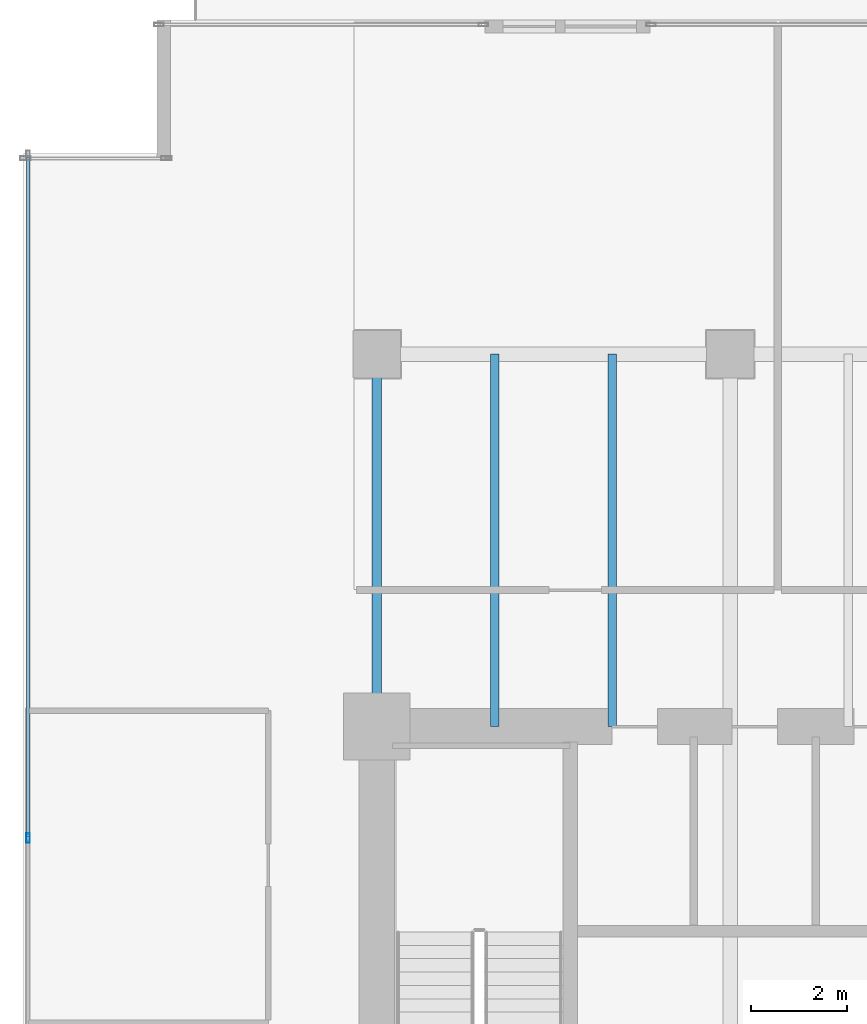
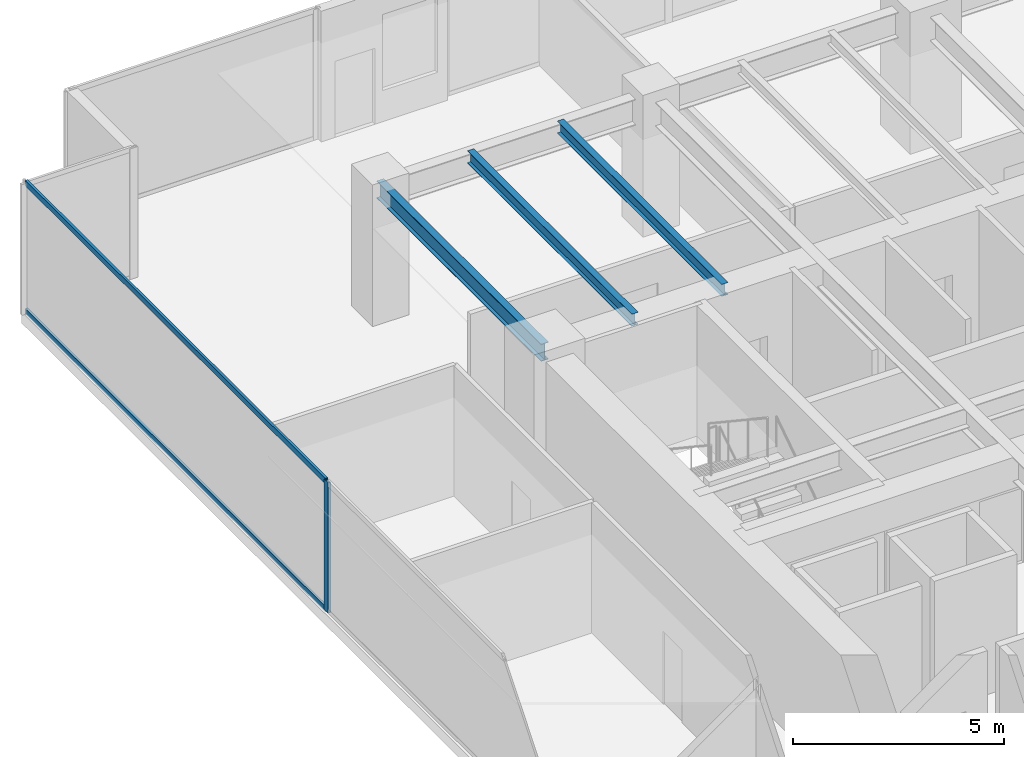
# One storey, part 12 of 32: 3 beams, 3 members, 1 element without a shape of its own.
"""IFC4 building model written with IfcOpenShell, lengths in metres."""

import ifcopenshell
import ifcopenshell.guid

model = None  # the IFC model being written
_history = None  # IfcOwnerHistory: only IFC2X3 demands one
_inside = {}  # id of a spatial element -> (the spatial element, [elements in it])
_under = {}  # id of a project, library or spatial element -> (it, [spatial elements below it])
_declared = {}  # id of a project -> (the project, [libraries it declares])
_typed = {}  # id of a type object -> (the type object, [elements of that type])
_made_of = {}  # id of a material, layer set ... -> (it, [elements and type objects made of it])


def new_model(schema):
    """Start an empty IFC model of exactly this schema.

    Asked for "IFC4X3", IfcOpenShell would pick the latest addendum, in which some entities
    have other attributes; the version numbers below select the first issue.
    IFC2X3 requires an IfcOwnerHistory on every rooted entity: one is made here for all.
    """
    global model, _history
    if schema == "IFC4X3":
        model = ifcopenshell.file(schema_version=(4, 3, 0, 0))
    else:
        model = ifcopenshell.file(schema=schema)
    _inside.clear()
    _under.clear()
    _declared.clear()
    _typed.clear()
    _made_of.clear()
    _history = None
    if model.schema == "IFC2X3":
        org = make("IfcOrganization", Name="unknown")
        user = make(
            "IfcPersonAndOrganization",
            ThePerson=make("IfcPerson", FamilyName="unknown"),
            TheOrganization=org,
        )
        app = make(
            "IfcApplication",
            ApplicationDeveloper=org,
            Version="unknown",
            ApplicationFullName="unknown",
            ApplicationIdentifier="unknown",
        )
        _history = make(
            "IfcOwnerHistory",
            OwningUser=user,
            OwningApplication=app,
            ChangeAction="ADDED",
            CreationDate=0,
        )
    return model


def make(cls, **values):
    """One entity of the class cls with the attributes given. An attribute that is None is left unset."""
    return model.create_entity(
        cls, **{name: value for name, value in values.items() if value is not None}
    )


def rooted(cls, **values):
    """An entity with a GlobalId (a new one), such as an element, a storey or a relation."""
    return make(cls, GlobalId=ifcopenshell.guid.new(), OwnerHistory=_history, **values)


def si_unit(unit_type, name, prefix=None):
    """IfcSIUnit, for example si_unit("LENGTHUNIT", "METRE", prefix="MILLI")."""
    return make("IfcSIUnit", UnitType=unit_type, Prefix=prefix, Name=name)


def assignment(units):
    """IfcUnitAssignment: the units of a project."""
    return None if units is None else make("IfcUnitAssignment", Units=units)


def point(xyz):
    """IfcCartesianPoint."""
    return None if xyz is None else make("IfcCartesianPoint", Coordinates=xyz)


def direction(xyz):
    """IfcDirection."""
    return None if xyz is None else make("IfcDirection", DirectionRatios=xyz)


def frame(location, z_axis=None, x_axis=None):
    """IfcAxis2Placement3D, a coordinate frame: its origin and axes. An axis left out is left unset."""
    return make(
        "IfcAxis2Placement3D",
        Location=point(location),
        Axis=direction(z_axis),
        RefDirection=direction(x_axis),
    )


def frame_2d(location, x_axis=None):
    """IfcAxis2Placement2D, a coordinate frame in the plane: its origin and x axis."""
    return make(
        "IfcAxis2Placement2D", Location=point(location), RefDirection=direction(x_axis)
    )


def origin():
    """The frame at (0, 0, 0) with its axes left unset."""
    return frame((0.0, 0.0, 0.0))


def origin_2d():
    """The frame at (0, 0) in the plane with its x axis left unset."""
    return frame_2d((0.0, 0.0))


def place(relative_to, where):
    """IfcLocalPlacement: puts the frame where relative to a parent placement (None: the world)."""
    return make(
        "IfcLocalPlacement", PlacementRelTo=relative_to, RelativePlacement=where
    )


def context(
    kind, dimensions, precision=None, world=None, true_north=None, identifier=None
):
    """IfcGeometricRepresentationContext, for example the 3D "Model" context."""
    return make(
        "IfcGeometricRepresentationContext",
        ContextIdentifier=identifier,
        ContextType=kind,
        CoordinateSpaceDimension=dimensions,
        Precision=precision,
        WorldCoordinateSystem=world,
        TrueNorth=true_north,
    )


def subcontext(parent, identifier, kind, view, scale=None):
    """IfcGeometricRepresentationSubContext, for example "Body" below "Model"."""
    return make(
        "IfcGeometricRepresentationSubContext",
        ContextIdentifier=identifier,
        ContextType=kind,
        ParentContext=parent,
        TargetScale=scale,
        TargetView=view,
    )


def project(units=None, contexts=None):
    """IfcProject with its units and contexts."""
    return rooted(
        "IfcProject",
        Name="project",
        RepresentationContexts=contexts,
        UnitsInContext=assignment(units),
    )


def spatial(cls, under=None, at=None, **own):
    """A site, building, storey or space (cls), placed at a placement, below another one or the project."""
    s = rooted(cls, ObjectPlacement=at, **own)
    if under is not None:
        _under.setdefault(under.id(), (under, []))[1].append(s)
    return s


def profile(cls, at=None, kind="AREA", **sizes):
    """A parametric profile (cls). Its sizes go by their IFC names, for example OverallWidth=200.0."""
    return make(cls, ProfileType=kind, Position=at, **sizes)


def hollow_rectangle(**sizes):
    """IfcRectangleHollowProfileDef."""
    return profile("IfcRectangleHollowProfileDef", **sizes)


def i_section(**sizes):
    """IfcIShapeProfileDef."""
    return profile("IfcIShapeProfileDef", **sizes)


def extrude(swept, where, along, depth):
    """IfcExtrudedAreaSolid: the profile swept, set in the frame where, extruded along a direction by depth."""
    return make(
        "IfcExtrudedAreaSolid",
        SweptArea=swept,
        Position=where,
        ExtrudedDirection=direction(along),
        Depth=depth,
    )


def shape(context_of_items, identifier, shape_type, items):
    """IfcShapeRepresentation: the items that make up one representation, for example the "Body"."""
    return make(
        "IfcShapeRepresentation",
        ContextOfItems=context_of_items,
        RepresentationIdentifier=identifier,
        RepresentationType=shape_type,
        Items=items,
    )


def source(mapping_origin, context_of_items, identifier, shape_type, items):
    """IfcRepresentationMap: a shape defined once, which mapped items show again and again."""
    return make(
        "IfcRepresentationMap",
        MappingOrigin=mapping_origin,
        MappedRepresentation=shape(context_of_items, identifier, shape_type, items),
    )


def transform(
    local_origin,
    x_axis=None,
    y_axis=None,
    z_axis=None,
    scale=None,
    scale2=None,
    scale3=None,
    uniform=True,
):
    """IfcCartesianTransformationOperator3D, or its non-uniform kind. x_axis, y_axis, z_axis: its Axis1, 2, 3."""
    if uniform:
        return make(
            "IfcCartesianTransformationOperator3D",
            Axis1=direction(x_axis),
            Axis2=direction(y_axis),
            LocalOrigin=point(local_origin),
            Scale=scale,
            Axis3=direction(z_axis),
        )
    return make(
        "IfcCartesianTransformationOperator3DnonUniform",
        Axis1=direction(x_axis),
        Axis2=direction(y_axis),
        LocalOrigin=point(local_origin),
        Scale=scale,
        Axis3=direction(z_axis),
        Scale2=scale2,
        Scale3=scale3,
    )


def mapped(mapping_source, mapping_target):
    """IfcMappedItem: shows the shape of a source again, moved by a transform."""
    return make(
        "IfcMappedItem", MappingSource=mapping_source, MappingTarget=mapping_target
    )


def material(Name=None, Category=None):
    """IfcMaterial."""
    return make("IfcMaterial", Name=Name, Category=Category)


def layer(
    of_material, thickness, ventilated=None, Name=None, Category=None, Priority=None
):
    """IfcMaterialLayer: one layer of a wall or slab, of a material (None: an air gap)."""
    return make(
        "IfcMaterialLayer",
        Material=of_material,
        LayerThickness=thickness,
        IsVentilated=ventilated,
        Name=Name,
        Category=Category,
        Priority=Priority,
    )


def layer_set(layers, Name=None):
    """IfcMaterialLayerSet."""
    return make("IfcMaterialLayerSet", MaterialLayers=layers, LayerSetName=Name)


def material_profile(
    of_material, cross_section, Name=None, Category=None, Priority=None
):
    """IfcMaterialProfile: a cross section and its material."""
    return make(
        "IfcMaterialProfile",
        Name=Name,
        Material=of_material,
        Profile=cross_section,
        Priority=Priority,
        Category=Category,
    )


def profile_set(profiles, Name=None, composite=None):
    """IfcMaterialProfileSet."""
    return make(
        "IfcMaterialProfileSet",
        Name=Name,
        MaterialProfiles=profiles,
        CompositeProfile=composite,
    )


def made_of(thing, what):
    """Note that an element or type object is made of a material, layer set ...; save() writes the relation."""
    if what is not None:
        _made_of.setdefault(what.id(), (what, []))[1].append(thing)
    return thing


def type_object(cls, material=None, **own):
    """A type object (cls), such as IfcWallType, which elements share."""
    return made_of(rooted(cls, **own), material)


def type_shapes(of_type, sources):
    """Give a type object the sources (RepresentationMaps) that its elements show as mapped items."""
    of_type.RepresentationMaps = sources


def element(
    cls,
    number,
    at=None,
    inside=None,
    cuts=None,
    type_object=None,
    material=None,
    context=None,
    identifier="Body",
    shape_type=None,
    held_by="IfcProductDefinitionShape",
    body=None,
    shapes=None,
    **own,
):
    """One element of the class cls, such as IfcWall. Its Tag is "e" and its number.

    at: its placement. inside: the storey or other place that contains it. cuts: it is an
    opening in that element (IfcRelVoidsElement). A single representation is given by context,
    identifier, shape_type and body (its items); several are given by shapes. held_by: the class
    of the entity that holds the representations. save() writes the other relations.
    """
    e = rooted(cls, Tag="e%d" % number, ObjectPlacement=at, **own)
    if body is not None:
        shapes = [shape(context, identifier, shape_type, body)]
    if shapes is not None:
        e.Representation = make(held_by, Representations=shapes)
    if inside is not None:
        _inside.setdefault(inside.id(), (inside, []))[1].append(e)
    if cuts is not None:
        rooted(
            "IfcRelVoidsElement", RelatingBuildingElement=cuts, RelatedOpeningElement=e
        )
    if type_object is not None:
        _typed.setdefault(type_object.id(), (type_object, []))[1].append(e)
    return made_of(e, material)


def aggregate(whole, parts):
    """IfcRelAggregates: a whole, such as a stair, and the parts it consists of."""
    return rooted("IfcRelAggregates", RelatingObject=whole, RelatedObjects=parts)


def save(model, path):
    """Write the relations noted so far, then the file.

    IfcRelAggregates (storeys below a building ...), IfcRelContainedInSpatialStructure (elements
    in a storey), IfcRelDefinesByType, IfcRelAssociatesMaterial and IfcRelDeclares: one each for
    every whole, place, type object, material and project.
    """
    for whole, parts in _under.values():
        aggregate(whole, parts)
    for where, things in _inside.values():
        rooted(
            "IfcRelContainedInSpatialStructure",
            RelatedElements=things,
            RelatingStructure=where,
        )
    for kind, things in _typed.values():
        rooted("IfcRelDefinesByType", RelatedObjects=things, RelatingType=kind)
    for what, things in _made_of.values():
        rooted("IfcRelAssociatesMaterial", RelatedObjects=things, RelatingMaterial=what)
    for by, libraries in _declared.values():
        rooted("IfcRelDeclares", RelatingContext=by, RelatedDefinitions=libraries)
    model.write(path)


model = new_model("IFC4")

# Units and contexts
model_context = context("Model", 3, precision=1e-05, world=origin(), true_north=direction((0.0, 1.0)))
body_context = subcontext(model_context, "Body", "Model", "MODEL_VIEW")
ifc_project = project(units=[si_unit("LENGTHUNIT", "METRE"), si_unit("AREAUNIT", "SQUARE_METRE"), si_unit("VOLUMEUNIT", "CUBIC_METRE"), si_unit("PLANEANGLEUNIT", "RADIAN"), si_unit("MASSUNIT", "GRAM", prefix="KILO")], contexts=[model_context])

# Site, building, storey
site_placement = place(None, origin())
site = spatial("IfcSite", under=ifc_project, at=site_placement, CompositionType="ELEMENT")
building_placement = place(site_placement, origin())
building = spatial("IfcBuilding", under=site, at=building_placement, Name="Haelvirn Gate Laboratories", CompositionType="ELEMENT")
storey_placement = place(building_placement, frame((0.0, 0.0, 33.39990234375)))
storey = spatial("IfcBuildingStorey", under=building, at=storey_placement, Name="L08", CompositionType="ELEMENT", Elevation=33.39990234375)

# Beams
ifc_material_1 = material(Name="Steel SM355", Category="steel")
ifc_material_profile_1 = material_profile(ifc_material_1, i_section(OverallWidth=0.199951171875, OverallDepth=0.5, WebThickness=0.010009765625, FlangeThickness=0.01611328125, at=origin_2d()), Name="H-500x200x10x16")
ifc_profile_set_1 = profile_set([ifc_material_profile_1], Name="Steel SM355")
beam_type_1 = type_object("IfcBeamType", Name="BM-SP-500", PredefinedType="SPANDREL", material=ifc_profile_set_1)
shared_shape_1 = source(origin(), body_context, "Body", "SweptSolid", [
    extrude(i_section(OverallWidth=0.199951171875, OverallDepth=0.5, WebThickness=0.010009765625, FlangeThickness=0.01611328125, at=origin_2d()), origin(), (0.0, 0.0, 1.0), 7.800048828125),
])
type_shapes(beam_type_1, [shared_shape_1])
beam_placement = place(storey_placement, frame((7.39990234375, 33.800048828125, 3.530029296875), z_axis=(0.0, 1.0, 0.0), x_axis=(-1.0, 0.0, 0.0)))
element("IfcBeam", 1, at=beam_placement, inside=storey, type_object=beam_type_1, Name="L08 Perimeter Spandrel X7.4 (33.8-41.6)", PredefinedType="SPANDREL", context=body_context, shape_type="MappedRepresentation", body=[
    mapped(shared_shape_1, transform((0.0, 0.0, 0.0), scale=1.0)),
])
ifc_material_profile_2 = material_profile(ifc_material_1, i_section(OverallWidth=0.175048828125, OverallDepth=0.35009765625, WebThickness=0.007080078125, FlangeThickness=0.010986328125, at=origin_2d()), Name="H-350x175x7x11")
ifc_profile_set_2 = profile_set([ifc_material_profile_2], Name="Steel SM355")
beam_type_2 = type_object("IfcBeamType", Name="BM-J-350", PredefinedType="JOIST", material=ifc_profile_set_2)
shared_shape_2 = source(origin(), body_context, "Body", "SweptSolid", [
    extrude(i_section(OverallWidth=0.175048828125, OverallDepth=0.35009765625, WebThickness=0.007080078125, FlangeThickness=0.010986328125, at=origin_2d()), origin(), (0.0, 0.0, 1.0), 7.800048828125),
])
type_shapes(beam_type_2, [shared_shape_2])
for number, where, z_axis, x_axis, name in (
    (2, (9.8701171875, 33.800048828125, 3.60498046875), (0.0, 1.0, 0.0), (-1.0, 0.0, 0.0), "L08 Composite Lab Joist North X9.87"),
    (3, (12.330078125, 33.800048828125, 3.60498046875), (0.0, 1.0, 0.0), (-1.0, 0.0, 0.0), "L08 Composite Lab Joist North X12.33"),
):
    element("IfcBeam", number, at=place(storey_placement, frame(where, z_axis=z_axis, x_axis=x_axis)), inside=storey, type_object=beam_type_2, Name=name, PredefinedType="JOIST", context=body_context, shape_type="MappedRepresentation", body=[
        mapped(shared_shape_2, transform((0.0, 0.0, 0.0), scale=1.0)),
    ])

# Curtain wall, members
ifc_material_2 = material(Name="Anodised bronze unitised aluminium & triple low-E glass", Category="aluminium")
ifc_layer = layer(ifc_material_2, 0.18408203125, Name="CW-SYS-2")
ifc_layer_set = layer_set([ifc_layer], Name="Anodised bronze unitised aluminium & triple low-E glass")
curtain_wall_type = type_object("IfcCurtainWallType", Name="CW-SYS-2", PredefinedType="NOTDEFINED", material=ifc_layer_set)
curtain_wall_placement = place(storey_placement, origin())
curtain_wall = element("IfcCurtainWall", 4, at=curtain_wall_placement, inside=storey, type_object=curtain_wall_type, Name="L08 Unitised Curtain Wall CW-L08-P0-E17", PredefinedType="NOTDEFINED")
ifc_material_3 = material(Name="Extruded aluminium 6063-T6 (anodised bronze)", Category="aluminium")
ifc_material_profile_3 = material_profile(ifc_material_3, hollow_rectangle(XDim=0.074951171875, YDim=0.199951171875, WallThickness=0.0048828125, at=origin_2d()), Name="CWM-200x75x5")
ifc_profile_set_3 = profile_set([ifc_material_profile_3], Name="Extruded aluminium 6063-T6 (anodised bronze)")
member_type_1 = type_object("IfcMemberType", Name="CWM-T200", PredefinedType="MULLION", material=ifc_profile_set_3)
shared_shape_3 = source(origin(), body_context, "Body", "SweptSolid", [
    extrude(hollow_rectangle(XDim=0.074951171875, YDim=0.199951171875, WallThickness=0.0048828125, at=origin_2d()), origin(), (0.0, 0.0, 1.0), 3.780029296875),
])
type_shapes(member_type_1, [shared_shape_3])
member_1_placement = place(storey_placement, frame((0.10009765625, 31.466552734375, 0.0), z_axis=(0.0, 0.0, 1.0), x_axis=(1.0, 0.0, 0.0)))
member_1 = element("IfcMember", 5, at=member_1_placement, type_object=member_type_1, Name="CW2 mullion 2", PredefinedType="MULLION", context=body_context, shape_type="MappedRepresentation", body=[
    mapped(shared_shape_3, transform((0.0, 0.0, 0.0), scale=1.0)),
])
ifc_material_profile_4 = material_profile(ifc_material_3, hollow_rectangle(XDim=0.070068359375, YDim=0.159912109375, WallThickness=0.0048828125, at=origin_2d()), Name="CWT-160x70x5")
ifc_profile_set_4 = profile_set([ifc_material_profile_4], Name="Extruded aluminium 6063-T6 (anodised bronze)")
member_type_2 = type_object("IfcMemberType", Name="CWT-T160", PredefinedType="USERDEFINED", material=ifc_profile_set_4)
shared_shape_4 = source(origin(), body_context, "Body", "SweptSolid", [
    extrude(hollow_rectangle(XDim=0.070068359375, YDim=0.159912109375, WallThickness=0.0048828125, at=origin_2d()), origin(), (0.0, 0.0, 1.0), 14.220947265625),
])
type_shapes(member_type_2, [shared_shape_4])
member_2_placement = place(storey_placement, frame((0.10009765625, 45.72509765625, 0.03515625), z_axis=(0.0, -1.0, 0.0), x_axis=(1.0, 0.0, 0.0)))
member_2 = element("IfcMember", 6, at=member_2_placement, type_object=member_type_2, Name="CW2 transom 1.1", ObjectType="TRANSOM", PredefinedType="USERDEFINED", context=body_context, shape_type="MappedRepresentation", body=[
    mapped(shared_shape_4, transform((0.0, 0.0, 0.0), scale=1.0)),
])
member_3_placement = place(storey_placement, frame((0.10009765625, 45.72509765625, 3.7451171875), z_axis=(0.0, -1.0, 0.0), x_axis=(1.0, 0.0, 0.0)))
member_3 = element("IfcMember", 7, at=member_3_placement, type_object=member_type_2, Name="CW2 transom 1.2", ObjectType="TRANSOM", PredefinedType="USERDEFINED", context=body_context, shape_type="MappedRepresentation", body=[
    mapped(shared_shape_4, transform((0.0, 0.0, 0.0), scale=1.0)),
])
aggregate(curtain_wall, [member_1, member_2, member_3])

save(model, "model.ifc")
